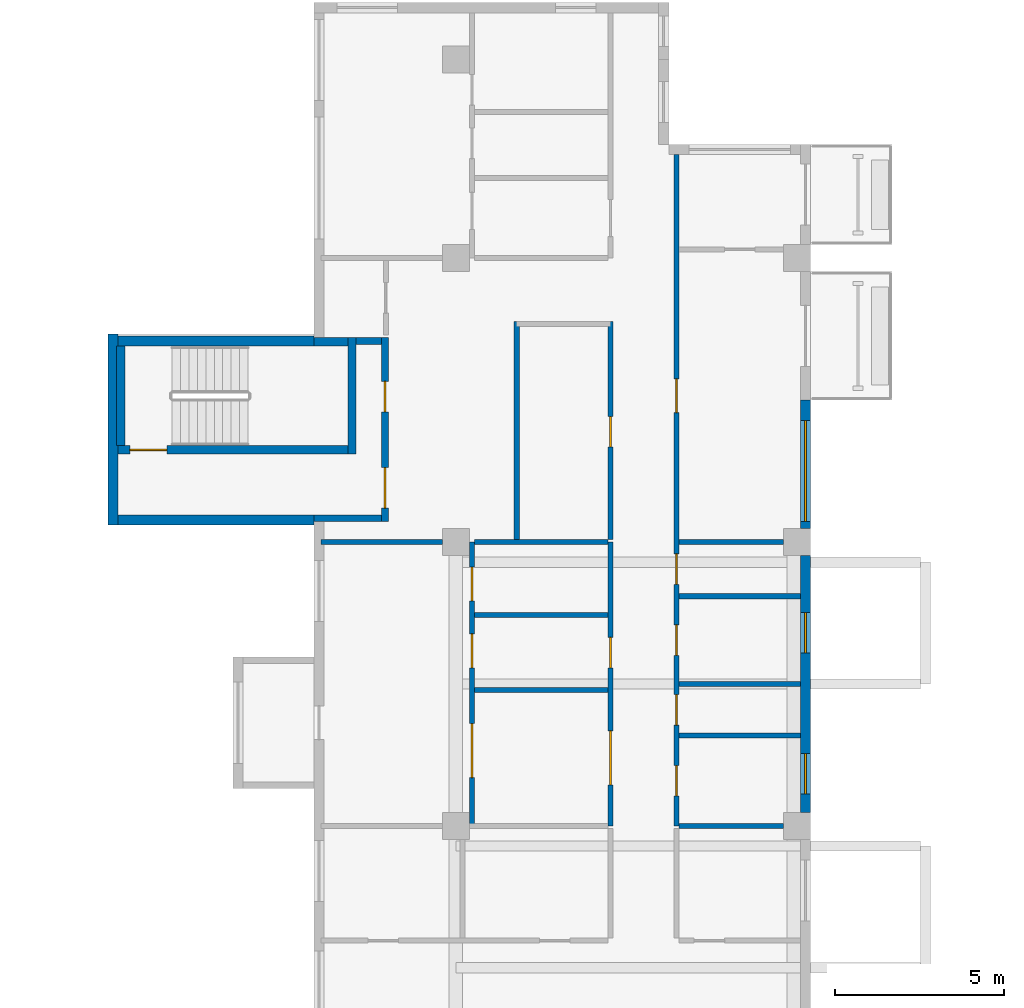
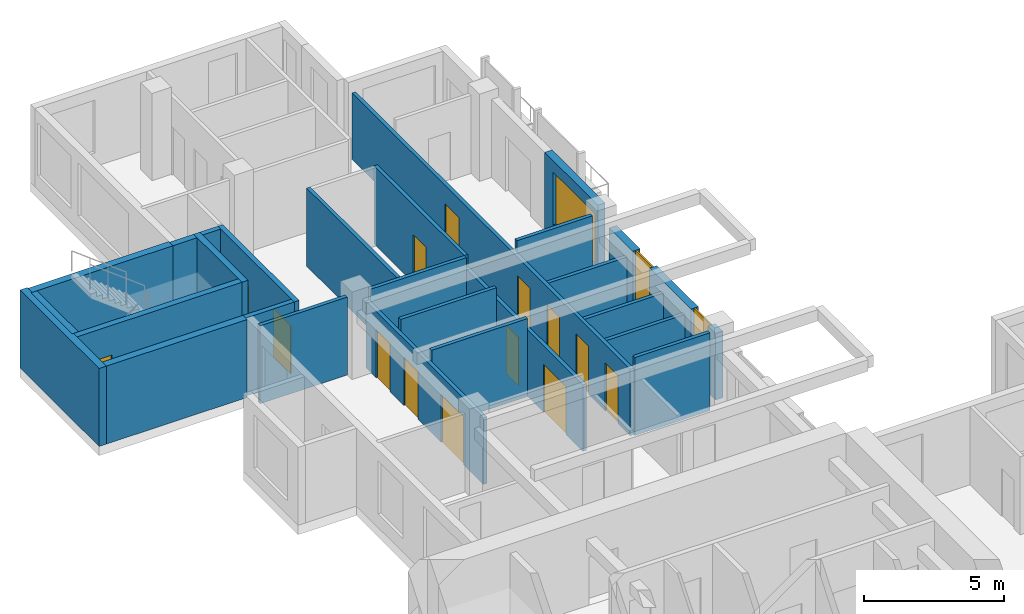
# One storey, part 8 of 13: 26 walls, 14 doors, 3 windows, 17 openings.
"""IFC4 building model written with IfcOpenShell, lengths in metres."""

import ifcopenshell
import ifcopenshell.guid

model = None  # the IFC model being written
_history = None  # IfcOwnerHistory: only IFC2X3 demands one
_inside = {}  # id of a spatial element -> (the spatial element, [elements in it])
_under = {}  # id of a project, library or spatial element -> (it, [spatial elements below it])
_declared = {}  # id of a project -> (the project, [libraries it declares])
_typed = {}  # id of a type object -> (the type object, [elements of that type])
_made_of = {}  # id of a material, layer set ... -> (it, [elements and type objects made of it])


def new_model(schema):
    """Start an empty IFC model of exactly this schema.

    Asked for "IFC4X3", IfcOpenShell would pick the latest addendum, in which some entities
    have other attributes; the version numbers below select the first issue.
    IFC2X3 requires an IfcOwnerHistory on every rooted entity: one is made here for all.
    """
    global model, _history
    if schema == "IFC4X3":
        model = ifcopenshell.file(schema_version=(4, 3, 0, 0))
    else:
        model = ifcopenshell.file(schema=schema)
    _inside.clear()
    _under.clear()
    _declared.clear()
    _typed.clear()
    _made_of.clear()
    _history = None
    if model.schema == "IFC2X3":
        org = make("IfcOrganization", Name="unknown")
        user = make(
            "IfcPersonAndOrganization",
            ThePerson=make("IfcPerson", FamilyName="unknown"),
            TheOrganization=org,
        )
        app = make(
            "IfcApplication",
            ApplicationDeveloper=org,
            Version="unknown",
            ApplicationFullName="unknown",
            ApplicationIdentifier="unknown",
        )
        _history = make(
            "IfcOwnerHistory",
            OwningUser=user,
            OwningApplication=app,
            ChangeAction="ADDED",
            CreationDate=0,
        )
    return model


def make(cls, **values):
    """One entity of the class cls with the attributes given. An attribute that is None is left unset."""
    return model.create_entity(
        cls, **{name: value for name, value in values.items() if value is not None}
    )


def rooted(cls, **values):
    """An entity with a GlobalId (a new one), such as an element, a storey or a relation."""
    return make(cls, GlobalId=ifcopenshell.guid.new(), OwnerHistory=_history, **values)


def si_unit(unit_type, name, prefix=None):
    """IfcSIUnit, for example si_unit("LENGTHUNIT", "METRE", prefix="MILLI")."""
    return make("IfcSIUnit", UnitType=unit_type, Prefix=prefix, Name=name)


def assignment(units):
    """IfcUnitAssignment: the units of a project."""
    return None if units is None else make("IfcUnitAssignment", Units=units)


def point(xyz):
    """IfcCartesianPoint."""
    return None if xyz is None else make("IfcCartesianPoint", Coordinates=xyz)


def direction(xyz):
    """IfcDirection."""
    return None if xyz is None else make("IfcDirection", DirectionRatios=xyz)


def frame(location, z_axis=None, x_axis=None):
    """IfcAxis2Placement3D, a coordinate frame: its origin and axes. An axis left out is left unset."""
    return make(
        "IfcAxis2Placement3D",
        Location=point(location),
        Axis=direction(z_axis),
        RefDirection=direction(x_axis),
    )


def frame_2d(location, x_axis=None):
    """IfcAxis2Placement2D, a coordinate frame in the plane: its origin and x axis."""
    return make(
        "IfcAxis2Placement2D", Location=point(location), RefDirection=direction(x_axis)
    )


def origin():
    """The frame at (0, 0, 0) with its axes left unset."""
    return frame((0.0, 0.0, 0.0))


def place(relative_to, where):
    """IfcLocalPlacement: puts the frame where relative to a parent placement (None: the world)."""
    return make(
        "IfcLocalPlacement", PlacementRelTo=relative_to, RelativePlacement=where
    )


def context(
    kind, dimensions, precision=None, world=None, true_north=None, identifier=None
):
    """IfcGeometricRepresentationContext, for example the 3D "Model" context."""
    return make(
        "IfcGeometricRepresentationContext",
        ContextIdentifier=identifier,
        ContextType=kind,
        CoordinateSpaceDimension=dimensions,
        Precision=precision,
        WorldCoordinateSystem=world,
        TrueNorth=true_north,
    )


def subcontext(parent, identifier, kind, view, scale=None):
    """IfcGeometricRepresentationSubContext, for example "Body" below "Model"."""
    return make(
        "IfcGeometricRepresentationSubContext",
        ContextIdentifier=identifier,
        ContextType=kind,
        ParentContext=parent,
        TargetScale=scale,
        TargetView=view,
    )


def project(units=None, contexts=None):
    """IfcProject with its units and contexts."""
    return rooted(
        "IfcProject",
        Name="project",
        RepresentationContexts=contexts,
        UnitsInContext=assignment(units),
    )


def spatial(cls, under=None, at=None, **own):
    """A site, building, storey or space (cls), placed at a placement, below another one or the project."""
    s = rooted(cls, ObjectPlacement=at, **own)
    if under is not None:
        _under.setdefault(under.id(), (under, []))[1].append(s)
    return s


def profile(cls, at=None, kind="AREA", **sizes):
    """A parametric profile (cls). Its sizes go by their IFC names, for example OverallWidth=200.0."""
    return make(cls, ProfileType=kind, Position=at, **sizes)


def rectangle(**sizes):
    """IfcRectangleProfileDef."""
    return profile("IfcRectangleProfileDef", **sizes)


def extrude(swept, where, along, depth):
    """IfcExtrudedAreaSolid: the profile swept, set in the frame where, extruded along a direction by depth."""
    return make(
        "IfcExtrudedAreaSolid",
        SweptArea=swept,
        Position=where,
        ExtrudedDirection=direction(along),
        Depth=depth,
    )


def shape(context_of_items, identifier, shape_type, items):
    """IfcShapeRepresentation: the items that make up one representation, for example the "Body"."""
    return make(
        "IfcShapeRepresentation",
        ContextOfItems=context_of_items,
        RepresentationIdentifier=identifier,
        RepresentationType=shape_type,
        Items=items,
    )


def source(mapping_origin, context_of_items, identifier, shape_type, items):
    """IfcRepresentationMap: a shape defined once, which mapped items show again and again."""
    return make(
        "IfcRepresentationMap",
        MappingOrigin=mapping_origin,
        MappedRepresentation=shape(context_of_items, identifier, shape_type, items),
    )


def transform(
    local_origin,
    x_axis=None,
    y_axis=None,
    z_axis=None,
    scale=None,
    scale2=None,
    scale3=None,
    uniform=True,
):
    """IfcCartesianTransformationOperator3D, or its non-uniform kind. x_axis, y_axis, z_axis: its Axis1, 2, 3."""
    if uniform:
        return make(
            "IfcCartesianTransformationOperator3D",
            Axis1=direction(x_axis),
            Axis2=direction(y_axis),
            LocalOrigin=point(local_origin),
            Scale=scale,
            Axis3=direction(z_axis),
        )
    return make(
        "IfcCartesianTransformationOperator3DnonUniform",
        Axis1=direction(x_axis),
        Axis2=direction(y_axis),
        LocalOrigin=point(local_origin),
        Scale=scale,
        Axis3=direction(z_axis),
        Scale2=scale2,
        Scale3=scale3,
    )


def mapped(mapping_source, mapping_target):
    """IfcMappedItem: shows the shape of a source again, moved by a transform."""
    return make(
        "IfcMappedItem", MappingSource=mapping_source, MappingTarget=mapping_target
    )


def material(Name=None, Category=None):
    """IfcMaterial."""
    return make("IfcMaterial", Name=Name, Category=Category)


def layer(
    of_material, thickness, ventilated=None, Name=None, Category=None, Priority=None
):
    """IfcMaterialLayer: one layer of a wall or slab, of a material (None: an air gap)."""
    return make(
        "IfcMaterialLayer",
        Material=of_material,
        LayerThickness=thickness,
        IsVentilated=ventilated,
        Name=Name,
        Category=Category,
        Priority=Priority,
    )


def layer_set(layers, Name=None):
    """IfcMaterialLayerSet."""
    return make("IfcMaterialLayerSet", MaterialLayers=layers, LayerSetName=Name)


def made_of(thing, what):
    """Note that an element or type object is made of a material, layer set ...; save() writes the relation."""
    if what is not None:
        _made_of.setdefault(what.id(), (what, []))[1].append(thing)
    return thing


def type_object(cls, material=None, **own):
    """A type object (cls), such as IfcWallType, which elements share."""
    return made_of(rooted(cls, **own), material)


def element(
    cls,
    number,
    at=None,
    inside=None,
    cuts=None,
    type_object=None,
    material=None,
    context=None,
    identifier="Body",
    shape_type=None,
    held_by="IfcProductDefinitionShape",
    body=None,
    shapes=None,
    **own,
):
    """One element of the class cls, such as IfcWall. Its Tag is "e" and its number.

    at: its placement. inside: the storey or other place that contains it. cuts: it is an
    opening in that element (IfcRelVoidsElement). A single representation is given by context,
    identifier, shape_type and body (its items); several are given by shapes. held_by: the class
    of the entity that holds the representations. save() writes the other relations.
    """
    e = rooted(cls, Tag="e%d" % number, ObjectPlacement=at, **own)
    if body is not None:
        shapes = [shape(context, identifier, shape_type, body)]
    if shapes is not None:
        e.Representation = make(held_by, Representations=shapes)
    if inside is not None:
        _inside.setdefault(inside.id(), (inside, []))[1].append(e)
    if cuts is not None:
        rooted(
            "IfcRelVoidsElement", RelatingBuildingElement=cuts, RelatedOpeningElement=e
        )
    if type_object is not None:
        _typed.setdefault(type_object.id(), (type_object, []))[1].append(e)
    return made_of(e, material)


def fill(opening, filler):
    """IfcRelFillsElement: the door or window that sits in an opening."""
    return rooted(
        "IfcRelFillsElement",
        RelatingOpeningElement=opening,
        RelatedBuildingElement=filler,
    )


def aggregate(whole, parts):
    """IfcRelAggregates: a whole, such as a stair, and the parts it consists of."""
    return rooted("IfcRelAggregates", RelatingObject=whole, RelatedObjects=parts)


def save(model, path):
    """Write the relations noted so far, then the file.

    IfcRelAggregates (storeys below a building ...), IfcRelContainedInSpatialStructure (elements
    in a storey), IfcRelDefinesByType, IfcRelAssociatesMaterial and IfcRelDeclares: one each for
    every whole, place, type object, material and project.
    """
    for whole, parts in _under.values():
        aggregate(whole, parts)
    for where, things in _inside.values():
        rooted(
            "IfcRelContainedInSpatialStructure",
            RelatedElements=things,
            RelatingStructure=where,
        )
    for kind, things in _typed.values():
        rooted("IfcRelDefinesByType", RelatedObjects=things, RelatingType=kind)
    for what, things in _made_of.values():
        rooted("IfcRelAssociatesMaterial", RelatedObjects=things, RelatingMaterial=what)
    for by, libraries in _declared.values():
        rooted("IfcRelDeclares", RelatingContext=by, RelatedDefinitions=libraries)
    model.write(path)


model = new_model("IFC4")

# Units and contexts
model_context = context("Model", 3, precision=1e-05, world=origin(), true_north=direction((0.0, 1.0)))
body_context = subcontext(model_context, "Body", "Model", "MODEL_VIEW")
ifc_project = project(units=[si_unit("LENGTHUNIT", "METRE"), si_unit("AREAUNIT", "SQUARE_METRE"), si_unit("VOLUMEUNIT", "CUBIC_METRE"), si_unit("PLANEANGLEUNIT", "RADIAN"), si_unit("MASSUNIT", "GRAM", prefix="KILO")], contexts=[model_context])

# Site, building, storey
site_placement = place(None, origin())
site = spatial("IfcSite", under=ifc_project, at=site_placement, CompositionType="ELEMENT")
building_placement = place(site_placement, origin())
building = spatial("IfcBuilding", under=site, at=building_placement, Name="Aurelian Terraces", CompositionType="ELEMENT")
storey_placement = place(building_placement, frame((0.0, 0.0, 253.8)))
storey = spatial("IfcBuildingStorey", under=building, at=storey_placement, Name="L58", CompositionType="ELEMENT", Elevation=253.8)

# Walls
ifc_material_1 = material(Name="Concrete fc' 40 MPa", Category="concrete")
ifc_layer_1 = layer(ifc_material_1, 0.3)
ifc_layer_set_1 = layer_set([ifc_layer_1], Name="STAIR BAY WALL 300")
wall_type_1 = type_object("IfcWallType", Name="STAIR BAY WALL 300", PredefinedType="SOLIDWALL", material=ifc_layer_set_1)
shared_shape_1 = source(origin(), body_context, "Body", "SweptSolid", [
    extrude(rectangle(XDim=6.1, YDim=0.3, at=frame_2d((3.05, 0.0))), origin(), (0.0, 0.0, 1.0), 3.4),
])
for number, where, z_axis, x_axis, name in (
    (1, (6.3, 43.75, 0.0), (0.0, 0.0, 1.0), (-1.0, 0.0, 0.0), "Stair bay wall L58 F17.31"),
    (2, (0.2, 38.45, 0.0), (0.0, 0.0, 1.0), (1.0, 0.0, 0.0), "Stair bay wall L58 F19.33"),
):
    element("IfcWall", number, at=place(storey_placement, frame(where, z_axis=z_axis, x_axis=x_axis)), inside=storey, type_object=wall_type_1, Name=name, PredefinedType="SOLIDWALL", context=body_context, shape_type="MappedRepresentation", body=[
        mapped(shared_shape_1, transform((0.0, 0.0, 0.0), scale=1.0)),
    ])
shared_shape_2 = source(origin(), body_context, "Body", "SweptSolid", [
    extrude(rectangle(XDim=5.65, YDim=0.3, at=frame_2d((2.825, 0.0))), origin(), (0.0, 0.0, 1.0), 3.4),
])
wall_1_placement = place(storey_placement, frame((0.35, 43.95, 0.0), z_axis=(0.0, 0.0, 1.0), x_axis=(0.0, -1.0, 0.0)))
element("IfcWall", 3, at=wall_1_placement, inside=storey, type_object=wall_type_1, Name="Stair bay wall L58 F18.32", PredefinedType="SOLIDWALL", context=body_context, shape_type="MappedRepresentation", body=[
    mapped(shared_shape_2, transform((0.0, 0.0, 0.0), scale=1.0)),
])

# Wall, openings, windows
ifc_material_2 = material(Name="Terracotta rainscreen cladding", Category="masonry")
ifc_layer_2 = layer(ifc_material_2, 0.3)
ifc_layer_set_2 = layer_set([ifc_layer_2], Name="EW-300")
wall_type_2 = type_object("IfcWallType", Name="EW-300", PredefinedType="STANDARD", material=ifc_layer_set_2)
shared_shape_3 = source(origin(), body_context, "Body", "SweptSolid", [
    extrude(rectangle(XDim=7.6, YDim=0.3, at=frame_2d((3.8, 0.0))), origin(), (0.0, 0.0, 1.0), 2.9),
])
wall_2_placement = place(storey_placement, frame((20.85, 29.8, 0.0), z_axis=(0.0, 0.0, 1.0), x_axis=(0.0, 1.0, 0.0)))
wall_2 = element("IfcWall", 4, at=wall_2_placement, inside=storey, type_object=wall_type_2, Name="External wall L58 F12.22", PredefinedType="STANDARD", context=body_context, shape_type="MappedRepresentation", body=[
    mapped(shared_shape_3, transform((0.0, 0.0, 0.0), scale=1.0)),
])
shared_shape_4 = source(origin(), body_context, "Body", "SweptSolid", [
    extrude(rectangle(XDim=1.2, YDim=2.3, at=frame_2d((0.6, 1.15))), frame((0.0, 0.16, 0.0), z_axis=(0.0, -1.0, 0.0), x_axis=(1.0, 0.0, 0.0)), (0.0, 0.0, 1.0), 0.32),
])
opening_1_placement = place(wall_2_placement, frame((0.546, 0.0, 0.6)))
opening_1 = element("IfcOpeningElement", 5, at=opening_1_placement, cuts=wall_2, Name="Opening W1223", PredefinedType="OPENING", context=body_context, shape_type="MappedRepresentation", body=[
    mapped(shared_shape_4, transform((0.0, 0.0, 0.0), scale=1.0)),
])
opening_2_placement = place(wall_2_placement, frame((4.7095, 0.0, 0.6)))
opening_2 = element("IfcOpeningElement", 6, at=opening_2_placement, cuts=wall_2, Name="Opening W1223", PredefinedType="OPENING", context=body_context, shape_type="MappedRepresentation", body=[
    mapped(shared_shape_4, transform((0.0, 0.0, 0.0), scale=1.0)),
])
ifc_material_3 = material(Name="Clear glazing", Category="glass")
window_type_1 = type_object("IfcWindowType", Name="W-1200x2300", PartitioningType="SINGLE_PANEL", PredefinedType="WINDOW", material=ifc_material_3)
shared_shape_5 = source(origin(), body_context, "Body", "SweptSolid", [
    extrude(rectangle(XDim=1.2, YDim=2.3, at=frame_2d((0.6, 1.15))), frame((0.0, 0.03, 0.0), z_axis=(0.0, -1.0, 0.0), x_axis=(1.0, 0.0, 0.0)), (0.0, 0.0, 1.0), 0.06),
])
window_1_placement = place(opening_1_placement, origin())
window_1 = element("IfcWindow", 7, at=window_1_placement, inside=storey, type_object=window_type_1, Name="Window L58 L58-F12-22-0", OverallHeight=2.3, OverallWidth=1.2, PartitioningType="SINGLE_PANEL", PredefinedType="WINDOW", context=body_context, shape_type="MappedRepresentation", body=[
    mapped(shared_shape_5, transform((0.0, 0.0, 0.0), scale=1.0)),
])
fill(opening_1, window_1)
window_2_placement = place(opening_2_placement, origin())
window_2 = element("IfcWindow", 8, at=window_2_placement, inside=storey, type_object=window_type_1, Name="Window L58 L58-F12-22-1", OverallHeight=2.3, OverallWidth=1.2, PartitioningType="SINGLE_PANEL", PredefinedType="WINDOW", context=body_context, shape_type="MappedRepresentation", body=[
    mapped(shared_shape_5, transform((0.0, 0.0, 0.0), scale=1.0)),
])
fill(opening_2, window_2)

# Wall, opening, window
shared_shape_6 = source(origin(), body_context, "Body", "SweptSolid", [
    extrude(rectangle(XDim=3.8, YDim=0.3, at=frame_2d((1.9, 0.0))), origin(), (0.0, 0.0, 1.0), 3.4),
])
wall_3_placement = place(storey_placement, frame((20.85, 38.2, 0.0), z_axis=(0.0, 0.0, 1.0), x_axis=(0.0, 1.0, 0.0)))
wall_3 = element("IfcWall", 9, at=wall_3_placement, inside=storey, type_object=wall_type_2, Name="External wall L58 F12.23", PredefinedType="STANDARD", context=body_context, shape_type="MappedRepresentation", body=[
    mapped(shared_shape_6, transform((0.0, 0.0, 0.0), scale=1.0)),
])
shared_shape_7 = source(origin(), body_context, "Body", "SweptSolid", [
    extrude(rectangle(XDim=3.0, YDim=2.3, at=frame_2d((1.5, 1.15))), frame((0.0, 0.16, 0.0), z_axis=(0.0, -1.0, 0.0), x_axis=(1.0, 0.0, 0.0)), (0.0, 0.0, 1.0), 0.32),
])
opening_3_placement = place(wall_3_placement, frame((0.2, 0.0, 0.6)))
opening_3 = element("IfcOpeningElement", 10, at=opening_3_placement, cuts=wall_3, Name="Opening W3023", PredefinedType="OPENING", context=body_context, shape_type="MappedRepresentation", body=[
    mapped(shared_shape_7, transform((0.0, 0.0, 0.0), scale=1.0)),
])
window_type_2 = type_object("IfcWindowType", Name="W-3000x2300", PartitioningType="SINGLE_PANEL", PredefinedType="WINDOW", material=ifc_material_3)
shared_shape_8 = source(origin(), body_context, "Body", "SweptSolid", [
    extrude(rectangle(XDim=3.0, YDim=2.3, at=frame_2d((1.5, 1.15))), frame((0.0, 0.03, 0.0), z_axis=(0.0, -1.0, 0.0), x_axis=(1.0, 0.0, 0.0)), (0.0, 0.0, 1.0), 0.06),
])
window_3_placement = place(opening_3_placement, origin())
window_3 = element("IfcWindow", 11, at=window_3_placement, inside=storey, type_object=window_type_2, Name="Window L58 L58-F12-23-0", OverallHeight=2.3, OverallWidth=3.0, PartitioningType="SINGLE_PANEL", PredefinedType="WINDOW", context=body_context, shape_type="MappedRepresentation", body=[
    mapped(shared_shape_8, transform((0.0, 0.0, 0.0), scale=1.0)),
])
fill(opening_3, window_3)

# Wall, opening, door
ifc_layer_3 = layer(ifc_material_1, 0.25)
ifc_layer_set_3 = layer_set([ifc_layer_3], Name="Stair enclosure wall 250")
wall_type_3 = type_object("IfcWallType", Name="Stair enclosure wall 250", PredefinedType="SOLIDWALL", material=ifc_layer_set_3)
shared_shape_9 = source(origin(), body_context, "Body", "SweptSolid", [
    extrude(rectangle(XDim=7.0, YDim=0.25, at=frame_2d((3.5, 0.0))), origin(), (0.0, 0.0, 1.0), 3.4),
])
wall_4_placement = place(storey_placement, frame((0.3, 40.525, 0.0), z_axis=(0.0, 0.0, 1.0), x_axis=(1.0, 0.0, 0.0)))
wall_4 = element("IfcWall", 12, at=wall_4_placement, inside=storey, type_object=wall_type_3, Name="L58 core wall ST-S3-W", PredefinedType="SOLIDWALL", context=body_context, shape_type="MappedRepresentation", body=[
    mapped(shared_shape_9, transform((0.0, 0.0, 0.0), scale=1.0)),
])
shared_shape_10 = source(origin(), body_context, "Body", "SweptSolid", [
    extrude(rectangle(XDim=1.1, YDim=2.1, at=frame_2d((0.55, 1.05))), frame((0.0, 0.135, 0.0), z_axis=(0.0, -1.0, 0.0), x_axis=(1.0, 0.0, 0.0)), (0.0, 0.0, 1.0), 0.27),
])
opening_4_placement = place(wall_4_placement, frame((0.55, 0.0, 0.0)))
opening_4 = element("IfcOpeningElement", 13, at=opening_4_placement, cuts=wall_4, Name="Opening 66118", PredefinedType="OPENING", context=body_context, shape_type="MappedRepresentation", body=[
    mapped(shared_shape_10, transform((0.0, 0.0, 0.0), scale=1.0)),
])
ifc_material_4 = material(Name="Steel door leaf", Category="steel")
door_type_1 = type_object("IfcDoorType", Name="Core fire door 1100x2100 right", OperationType="SINGLE_SWING_RIGHT", PredefinedType="DOOR", material=ifc_material_4)
shared_shape_11 = source(origin(), body_context, "Body", "SweptSolid", [
    extrude(rectangle(XDim=1.1, YDim=2.1, at=frame_2d((0.55, 1.05))), frame((0.0, 0.025, 0.0), z_axis=(0.0, -1.0, 0.0), x_axis=(1.0, 0.0, 0.0)), (0.0, 0.0, 1.0), 0.05),
])
door_1_placement = place(opening_4_placement, origin())
door_1 = element("IfcDoor", 14, at=door_1_placement, inside=storey, type_object=door_type_1, Name="Stair door 66118", OperationType="SINGLE_SWING_RIGHT", OverallHeight=2.1, OverallWidth=1.1, PredefinedType="DOOR", context=body_context, shape_type="MappedRepresentation", body=[
    mapped(shared_shape_11, transform((0.0, 0.0, 0.0), scale=1.0)),
])
fill(opening_4, door_1)

# Walls
shared_shape_12 = source(origin(), body_context, "Body", "SweptSolid", [
    extrude(rectangle(XDim=3.45, YDim=0.25, at=frame_2d((1.725, 0.0))), origin(), (0.0, 0.0, 1.0), 3.4),
])
wall_5_placement = place(storey_placement, frame((7.425, 40.4, 0.0), z_axis=(0.0, 0.0, 1.0), x_axis=(0.0, 1.0, 0.0)))
element("IfcWall", 15, at=wall_5_placement, inside=storey, type_object=wall_type_3, Name="L58 core wall ST-S3-N", PredefinedType="SOLIDWALL", context=body_context, shape_type="MappedRepresentation", body=[
    mapped(shared_shape_12, transform((0.0, 0.0, 0.0), scale=1.0)),
])
shared_shape_13 = source(origin(), body_context, "Body", "SweptSolid", [
    extrude(rectangle(XDim=2.95, YDim=0.25, at=frame_2d((1.475, 0.0))), origin(), (0.0, 0.0, 1.0), 3.4),
])
wall_6_placement = place(storey_placement, frame((0.575, 40.65, 0.0), z_axis=(0.0, 0.0, 1.0), x_axis=(0.0, 1.0, 0.0)))
element("IfcWall", 16, at=wall_6_placement, inside=storey, type_object=wall_type_3, Name="L58 core wall ST-S3-SS", PredefinedType="SOLIDWALL", context=body_context, shape_type="MappedRepresentation", body=[
    mapped(shared_shape_13, transform((0.0, 0.0, 0.0), scale=1.0)),
])

# Wall, openings, doors
ifc_material_5 = material(Name="Gypsum board on steel studs", Category="steel")
ifc_layer_4 = layer(ifc_material_5, 0.2)
ifc_layer_set_4 = layer_set([ifc_layer_4], Name="Core partition 200")
wall_type_4 = type_object("IfcWallType", Name="Core partition 200", PredefinedType="PARTITIONING", material=ifc_layer_set_4)
shared_shape_14 = source(origin(), body_context, "Body", "SweptSolid", [
    extrude(rectangle(XDim=5.45, YDim=0.2, at=frame_2d((2.725, 0.0))), origin(), (0.0, 0.0, 1.0), 3.4),
])
wall_7_placement = place(storey_placement, frame((8.4, 38.4, 0.0), z_axis=(0.0, 0.0, 1.0), x_axis=(0.0, 1.0, 0.0)))
wall_7 = element("IfcWall", 17, at=wall_7_placement, inside=storey, type_object=wall_type_4, Name="L58 core wall ST-S3-BN", PredefinedType="PARTITIONING", context=body_context, shape_type="MappedRepresentation", body=[
    mapped(shared_shape_14, transform((0.0, 0.0, 0.0), scale=1.0)),
])
shared_shape_15 = source(origin(), body_context, "Body", "SweptSolid", [
    extrude(rectangle(XDim=1.2, YDim=2.1, at=frame_2d((0.6, 1.05))), frame((0.0, 0.11, 0.0), z_axis=(0.0, -1.0, 0.0), x_axis=(1.0, 0.0, 0.0)), (0.0, 0.0, 1.0), 0.22),
])
opening_5_placement = place(wall_7_placement, frame((0.4, 0.0, 0.0)))
opening_5 = element("IfcOpeningElement", 18, at=opening_5_placement, cuts=wall_7, Name="Opening 66119", PredefinedType="OPENING", context=body_context, shape_type="MappedRepresentation", body=[
    mapped(shared_shape_15, transform((0.0, 0.0, 0.0), scale=1.0)),
])
shared_shape_16 = source(origin(), body_context, "Body", "SweptSolid", [
    extrude(rectangle(XDim=0.9, YDim=2.1, at=frame_2d((0.45, 1.05))), frame((0.0, 0.11, 0.0), z_axis=(0.0, -1.0, 0.0), x_axis=(1.0, 0.0, 0.0)), (0.0, 0.0, 1.0), 0.22),
])
opening_6_placement = place(wall_7_placement, frame((3.25, 0.0, 0.0)))
opening_6 = element("IfcOpeningElement", 19, at=opening_6_placement, cuts=wall_7, Name="Opening 66120", PredefinedType="OPENING", context=body_context, shape_type="MappedRepresentation", body=[
    mapped(shared_shape_16, transform((0.0, 0.0, 0.0), scale=1.0)),
])
door_type_2 = type_object("IfcDoorType", Name="Core riser door 900x2100 right", OperationType="SINGLE_SWING_RIGHT", PredefinedType="DOOR", material=ifc_material_4)
shared_shape_17 = source(origin(), body_context, "Body", "SweptSolid", [
    extrude(rectangle(XDim=0.9, YDim=2.1, at=frame_2d((0.45, 1.05))), frame((0.0, 0.025, 0.0), z_axis=(0.0, -1.0, 0.0), x_axis=(1.0, 0.0, 0.0)), (0.0, 0.0, 1.0), 0.05),
])
door_2_placement = place(opening_6_placement, origin())
door_2 = element("IfcDoor", 20, at=door_2_placement, inside=storey, type_object=door_type_2, Name="Riser door 66120", OperationType="SINGLE_SWING_RIGHT", OverallHeight=2.1, OverallWidth=0.9, PredefinedType="DOOR", context=body_context, shape_type="MappedRepresentation", body=[
    mapped(shared_shape_17, transform((0.0, 0.0, 0.0), scale=1.0)),
])
fill(opening_6, door_2)
door_type_3 = type_object("IfcDoorType", Name="Core fire door 1200x2100", OperationType="SINGLE_SWING_LEFT", PredefinedType="DOOR", material=ifc_material_4)
shared_shape_18 = source(origin(), body_context, "Body", "SweptSolid", [
    extrude(rectangle(XDim=1.2, YDim=2.1, at=frame_2d((0.6, 1.05))), frame((0.0, 0.025, 0.0), z_axis=(0.0, -1.0, 0.0), x_axis=(1.0, 0.0, 0.0)), (0.0, 0.0, 1.0), 0.05),
])
door_3_placement = place(opening_5_placement, origin())
door_3 = element("IfcDoor", 21, at=door_3_placement, inside=storey, type_object=door_type_3, Name="Vestibule door 66119", OperationType="SINGLE_SWING_LEFT", OverallHeight=2.1, OverallWidth=1.2, PredefinedType="DOOR", context=body_context, shape_type="MappedRepresentation", body=[
    mapped(shared_shape_18, transform((0.0, 0.0, 0.0), scale=1.0)),
])
fill(opening_5, door_3)

# Walls
shared_shape_19 = source(origin(), body_context, "Body", "SweptSolid", [
    extrude(rectangle(XDim=0.75, YDim=0.2, at=frame_2d((0.375, 0.0))), origin(), (0.0, 0.0, 1.0), 3.4),
])
wall_8_placement = place(storey_placement, frame((7.55, 43.75, 0.0), z_axis=(0.0, 0.0, 1.0), x_axis=(1.0, 0.0, 0.0)))
element("IfcWall", 22, at=wall_8_placement, inside=storey, type_object=wall_type_4, Name="L58 core wall ST-S3-RE", PredefinedType="PARTITIONING", context=body_context, shape_type="MappedRepresentation", body=[
    mapped(shared_shape_19, transform((0.0, 0.0, 0.0), scale=1.0)),
])
shared_shape_20 = source(origin(), body_context, "Body", "SweptSolid", [
    extrude(rectangle(XDim=1.0, YDim=0.25, at=frame_2d((0.5, 0.0))), origin(), (0.0, 0.0, 1.0), 3.4),
])
wall_9_placement = place(storey_placement, frame((6.3, 43.725, 0.0), z_axis=(0.0, 0.0, 1.0), x_axis=(1.0, 0.0, 0.0)))
element("IfcWall", 23, at=wall_9_placement, inside=storey, type_object=wall_type_3, Name="L58 core wall ST-S3-E", PredefinedType="SOLIDWALL", context=body_context, shape_type="MappedRepresentation", body=[
    mapped(shared_shape_20, transform((0.0, 0.0, 0.0), scale=1.0)),
])
shared_shape_21 = source(origin(), body_context, "Body", "SweptSolid", [
    extrude(rectangle(XDim=2.0, YDim=0.2, at=frame_2d((1.0, 0.0))), origin(), (0.0, 0.0, 1.0), 3.4),
])
wall_10_placement = place(storey_placement, frame((6.3, 38.5, 0.0), z_axis=(0.0, 0.0, 1.0), x_axis=(1.0, 0.0, 0.0)))
element("IfcWall", 24, at=wall_10_placement, inside=storey, type_object=wall_type_4, Name="L58 core wall ST-S3-VW", PredefinedType="PARTITIONING", context=body_context, shape_type="MappedRepresentation", body=[
    mapped(shared_shape_21, transform((0.0, 0.0, 0.0), scale=1.0)),
])
ifc_layer_5 = layer(ifc_material_5, 0.15)
ifc_layer_set_5 = layer_set([ifc_layer_5], Name="Partition 150")
wall_type_5 = type_object("IfcWallType", Name="Partition 150", PredefinedType="PARTITIONING", material=ifc_layer_set_5)
shared_shape_22 = source(origin(), body_context, "Body", "SweptSolid", [
    extrude(rectangle(XDim=6.45, YDim=0.15, at=frame_2d((3.225, 0.0))), origin(), (0.0, 0.0, 1.0), 3.4),
])
wall_11_placement = place(storey_placement, frame((12.3, 44.325, 0.0), z_axis=(0.0, 0.0, 1.0), x_axis=(0.0, -1.0, 0.0)))
element("IfcWall", 25, at=wall_11_placement, inside=storey, type_object=wall_type_5, Name="Partition", PredefinedType="PARTITIONING", context=body_context, shape_type="MappedRepresentation", body=[
    mapped(shared_shape_22, transform((0.0, 0.0, 0.0), scale=1.0)),
])

# Wall, opening, door
ifc_layer_6 = layer(ifc_material_5, 0.15)
ifc_layer_set_6 = layer_set([ifc_layer_6], Name="Fire partition 150")
wall_type_6 = type_object("IfcWallType", Name="Fire partition 150", PredefinedType="PARTITIONING", material=ifc_layer_set_6)
wall_12_placement = place(storey_placement, frame((15.075, 37.875, 0.0), z_axis=(0.0, 0.0, 1.0), x_axis=(0.0, 1.0, 0.0)))
wall_12 = element("IfcWall", 26, at=wall_12_placement, inside=storey, type_object=wall_type_6, Name="Corridor wall", PredefinedType="PARTITIONING", context=body_context, shape_type="MappedRepresentation", body=[
    mapped(shared_shape_22, transform((0.0, 0.0, 0.0), scale=1.0)),
])
shared_shape_23 = source(origin(), body_context, "Body", "SweptSolid", [
    extrude(rectangle(XDim=0.9, YDim=2.1, at=frame_2d((0.45, 1.05))), frame((0.0, 0.085, 0.0), z_axis=(0.0, -1.0, 0.0), x_axis=(1.0, 0.0, 0.0)), (0.0, 0.0, 1.0), 0.17),
])
opening_7_placement = place(wall_12_placement, frame((2.7375, 0.0, 0.0)))
opening_7 = element("IfcOpeningElement", 27, at=opening_7_placement, cuts=wall_12, Name="Opening 758018", PredefinedType="OPENING", context=body_context, shape_type="MappedRepresentation", body=[
    mapped(shared_shape_23, transform((0.0, 0.0, 0.0), scale=1.0)),
])
ifc_material_6 = material(Name="Timber door leaf", Category="wood")
door_type_4 = type_object("IfcDoorType", Name="Room door 900x2100 right", OperationType="SINGLE_SWING_RIGHT", PredefinedType="DOOR", material=ifc_material_6)
door_4_placement = place(opening_7_placement, origin())
door_4 = element("IfcDoor", 28, at=door_4_placement, inside=storey, type_object=door_type_4, Name="Door 758018", OperationType="SINGLE_SWING_RIGHT", OverallHeight=2.1, OverallWidth=0.9, PredefinedType="DOOR", context=body_context, shape_type="MappedRepresentation", body=[
    mapped(shared_shape_17, transform((0.0, 0.0, 0.0), scale=1.0)),
])
fill(opening_7, door_4)

# Walls
shared_shape_24 = source(origin(), body_context, "Body", "SweptSolid", [
    extrude(rectangle(XDim=3.6, YDim=0.15, at=frame_2d((1.8, 0.0))), origin(), (0.0, 0.0, 1.0), 2.4),
])
for number, where, z_axis, x_axis, name in (
    (29, (17.1, 32.067, 0.0), (0.0, 0.0, 1.0), (1.0, 0.0, 0.0), "Partition"),
    (30, (17.1, 36.194, 0.0), (0.0, 0.0, 1.0), (1.0, 0.0, 0.0), "Partition"),
):
    element("IfcWall", number, at=place(storey_placement, frame(where, z_axis=z_axis, x_axis=x_axis)), inside=storey, type_object=wall_type_5, Name=name, PredefinedType="PARTITIONING", context=body_context, shape_type="MappedRepresentation", body=[
        mapped(shared_shape_24, transform((0.0, 0.0, 0.0), scale=1.0)),
    ])
wall_13_placement = place(storey_placement, frame((20.7, 33.6, 0.0), z_axis=(0.0, 0.0, 1.0), x_axis=(-1.0, 0.0, 0.0)))
element("IfcWall", 31, at=wall_13_placement, inside=storey, type_object=wall_type_6, Name="Party wall", PredefinedType="PARTITIONING", context=body_context, shape_type="MappedRepresentation", body=[
    mapped(shared_shape_24, transform((0.0, 0.0, 0.0), scale=1.0)),
])

# Wall, openings, doors
shared_shape_25 = source(origin(), body_context, "Body", "SweptSolid", [
    extrude(rectangle(XDim=8.4, YDim=0.15, at=frame_2d((4.2, 0.0))), origin(), (0.0, 0.0, 1.0), 2.9),
])
wall_14_placement = place(storey_placement, frame((10.975, 29.4, 0.0), z_axis=(0.0, 0.0, 1.0), x_axis=(0.0, 1.0, 0.0)))
wall_14 = element("IfcWall", 32, at=wall_14_placement, inside=storey, type_object=wall_type_5, Name="Partition", PredefinedType="PARTITIONING", context=body_context, shape_type="MappedRepresentation", body=[
    mapped(shared_shape_25, transform((0.0, 0.0, 0.0), scale=1.0)),
])
shared_shape_26 = source(origin(), body_context, "Body", "SweptSolid", [
    extrude(rectangle(XDim=1.6, YDim=2.1, at=frame_2d((0.8, 1.05))), frame((0.0, 0.085, 0.0), z_axis=(0.0, -1.0, 0.0), x_axis=(1.0, 0.0, 0.0)), (0.0, 0.0, 1.0), 0.17),
])
opening_8_placement = place(wall_14_placement, frame((1.4237, 0.0, 0.0)))
opening_8 = element("IfcOpeningElement", 33, at=opening_8_placement, cuts=wall_14, Name="Opening 758021", PredefinedType="OPENING", context=body_context, shape_type="MappedRepresentation", body=[
    mapped(shared_shape_26, transform((0.0, 0.0, 0.0), scale=1.0)),
])
shared_shape_27 = source(origin(), body_context, "Body", "SweptSolid", [
    extrude(rectangle(XDim=1.0, YDim=2.1, at=frame_2d((0.5, 1.05))), frame((0.0, 0.085, 0.0), z_axis=(0.0, -1.0, 0.0), x_axis=(1.0, 0.0, 0.0)), (0.0, 0.0, 1.0), 0.17),
])
opening_9_placement = place(wall_14_placement, frame((4.6776, 0.0, 0.0)))
opening_9 = element("IfcOpeningElement", 34, at=opening_9_placement, cuts=wall_14, Name="Opening 758022", PredefinedType="OPENING", context=body_context, shape_type="MappedRepresentation", body=[
    mapped(shared_shape_27, transform((0.0, 0.0, 0.0), scale=1.0)),
])
opening_10_placement = place(wall_14_placement, frame((6.6539, 0.0, 0.0)))
opening_10 = element("IfcOpeningElement", 35, at=opening_10_placement, cuts=wall_14, Name="Opening 758023", PredefinedType="OPENING", context=body_context, shape_type="MappedRepresentation", body=[
    mapped(shared_shape_27, transform((0.0, 0.0, 0.0), scale=1.0)),
])
door_type_5 = type_object("IfcDoorType", Name="Room door 1000x2100 left", OperationType="SINGLE_SWING_LEFT", PredefinedType="DOOR", material=ifc_material_6)
shared_shape_28 = source(origin(), body_context, "Body", "SweptSolid", [
    extrude(rectangle(XDim=1.0, YDim=2.1, at=frame_2d((0.5, 1.05))), frame((0.0, 0.025, 0.0), z_axis=(0.0, -1.0, 0.0), x_axis=(1.0, 0.0, 0.0)), (0.0, 0.0, 1.0), 0.05),
])
door_5_placement = place(opening_9_placement, origin())
door_5 = element("IfcDoor", 36, at=door_5_placement, inside=storey, type_object=door_type_5, Name="Door 758022", OperationType="SINGLE_SWING_LEFT", OverallHeight=2.1, OverallWidth=1.0, PredefinedType="DOOR", context=body_context, shape_type="MappedRepresentation", body=[
    mapped(shared_shape_28, transform((0.0, 0.0, 0.0), scale=1.0)),
])
fill(opening_9, door_5)
door_type_6 = type_object("IfcDoorType", Name="Room door 1000x2100 right", OperationType="SINGLE_SWING_RIGHT", PredefinedType="DOOR", material=ifc_material_6)
door_6_placement = place(opening_10_placement, origin())
door_6 = element("IfcDoor", 37, at=door_6_placement, inside=storey, type_object=door_type_6, Name="Door 758023", OperationType="SINGLE_SWING_RIGHT", OverallHeight=2.1, OverallWidth=1.0, PredefinedType="DOOR", context=body_context, shape_type="MappedRepresentation", body=[
    mapped(shared_shape_28, transform((0.0, 0.0, 0.0), scale=1.0)),
])
fill(opening_10, door_6)
door_type_7 = type_object("IfcDoorType", Name="Room door 1600x2100 right", OperationType="SINGLE_SWING_RIGHT", PredefinedType="DOOR", material=ifc_material_6)
shared_shape_29 = source(origin(), body_context, "Body", "SweptSolid", [
    extrude(rectangle(XDim=1.6, YDim=2.1, at=frame_2d((0.8, 1.05))), frame((0.0, 0.025, 0.0), z_axis=(0.0, -1.0, 0.0), x_axis=(1.0, 0.0, 0.0)), (0.0, 0.0, 1.0), 0.05),
])
door_7_placement = place(opening_8_placement, origin())
door_7 = element("IfcDoor", 38, at=door_7_placement, inside=storey, type_object=door_type_7, Name="Door 758021", OperationType="SINGLE_SWING_RIGHT", OverallHeight=2.1, OverallWidth=1.6, PredefinedType="DOOR", context=body_context, shape_type="MappedRepresentation", body=[
    mapped(shared_shape_29, transform((0.0, 0.0, 0.0), scale=1.0)),
])
fill(opening_8, door_7)

wall_15_placement = place(storey_placement, frame((15.075, 29.4, 0.0), z_axis=(0.0, 0.0, 1.0), x_axis=(0.0, 1.0, 0.0)))
wall_15 = element("IfcWall", 39, at=wall_15_placement, inside=storey, type_object=wall_type_6, Name="Corridor wall", PredefinedType="PARTITIONING", context=body_context, shape_type="MappedRepresentation", body=[
    mapped(shared_shape_25, transform((0.0, 0.0, 0.0), scale=1.0)),
])
opening_11_placement = place(wall_15_placement, frame((1.2112, 0.0, 0.0)))
opening_11 = element("IfcOpeningElement", 40, at=opening_11_placement, cuts=wall_15, Name="Opening 758020", PredefinedType="OPENING", context=body_context, shape_type="MappedRepresentation", body=[
    mapped(shared_shape_26, transform((0.0, 0.0, 0.0), scale=1.0)),
])
opening_12_placement = place(wall_15_placement, frame((4.6776, 0.0, 0.0)))
opening_12 = element("IfcOpeningElement", 41, at=opening_12_placement, cuts=wall_15, Name="Opening 758024", PredefinedType="OPENING", context=body_context, shape_type="MappedRepresentation", body=[
    mapped(shared_shape_23, transform((0.0, 0.0, 0.0), scale=1.0)),
])
door_type_8 = type_object("IfcDoorType", Name="Entrance fire door 900x2100 left", OperationType="SINGLE_SWING_LEFT", PredefinedType="DOOR", material=ifc_material_4)
door_8_placement = place(opening_12_placement, origin())
door_8 = element("IfcDoor", 42, at=door_8_placement, inside=storey, type_object=door_type_8, Name="Door 758024", OperationType="SINGLE_SWING_LEFT", OverallHeight=2.1, OverallWidth=0.9, PredefinedType="DOOR", context=body_context, shape_type="MappedRepresentation", body=[
    mapped(shared_shape_17, transform((0.0, 0.0, 0.0), scale=1.0)),
])
fill(opening_12, door_8)
door_type_9 = type_object("IfcDoorType", Name="Entrance fire door 1600x2100 left", OperationType="SINGLE_SWING_LEFT", PredefinedType="DOOR", material=ifc_material_4)
door_9_placement = place(opening_11_placement, origin())
door_9 = element("IfcDoor", 43, at=door_9_placement, inside=storey, type_object=door_type_9, Name="Door 758020", OperationType="SINGLE_SWING_LEFT", OverallHeight=2.1, OverallWidth=1.6, PredefinedType="DOOR", context=body_context, shape_type="MappedRepresentation", body=[
    mapped(shared_shape_29, transform((0.0, 0.0, 0.0), scale=1.0)),
])
fill(opening_11, door_9)

shared_shape_30 = source(origin(), body_context, "Body", "SweptSolid", [
    extrude(rectangle(XDim=19.86, YDim=0.15, at=frame_2d((9.93, 0.0))), origin(), (0.0, 0.0, 1.0), 2.9),
])
wall_16_placement = place(storey_placement, frame((17.025, 49.26, 0.0), z_axis=(0.0, 0.0, 1.0), x_axis=(0.0, -1.0, 0.0)))
wall_16 = element("IfcWall", 44, at=wall_16_placement, inside=storey, type_object=wall_type_6, Name="Corridor wall", PredefinedType="PARTITIONING", context=body_context, shape_type="MappedRepresentation", body=[
    mapped(shared_shape_30, transform((0.0, 0.0, 0.0), scale=1.0)),
])
opening_13_placement = place(wall_16_placement, frame((18.0765, 0.0, 0.0)))
opening_13 = element("IfcOpeningElement", 45, at=opening_13_placement, cuts=wall_16, Name="Opening 758029", PredefinedType="OPENING", context=body_context, shape_type="MappedRepresentation", body=[
    mapped(shared_shape_23, transform((0.0, 0.0, 0.0), scale=1.0)),
])
opening_14_placement = place(wall_16_placement, frame((15.9765, 0.0, 0.0)))
opening_14 = element("IfcOpeningElement", 46, at=opening_14_placement, cuts=wall_16, Name="Opening 758030", PredefinedType="OPENING", context=body_context, shape_type="MappedRepresentation", body=[
    mapped(shared_shape_23, transform((0.0, 0.0, 0.0), scale=1.0)),
])
opening_15_placement = place(wall_16_placement, frame((13.913, 0.0, 0.0)))
opening_15 = element("IfcOpeningElement", 47, at=opening_15_placement, cuts=wall_16, Name="Opening 758031", PredefinedType="OPENING", context=body_context, shape_type="MappedRepresentation", body=[
    mapped(shared_shape_23, transform((0.0, 0.0, 0.0), scale=1.0)),
])
opening_16_placement = place(wall_16_placement, frame((11.813, 0.0, 0.0)))
opening_16 = element("IfcOpeningElement", 48, at=opening_16_placement, cuts=wall_16, Name="Opening 758032", PredefinedType="OPENING", context=body_context, shape_type="MappedRepresentation", body=[
    mapped(shared_shape_23, transform((0.0, 0.0, 0.0), scale=1.0)),
])
opening_17_placement = place(wall_16_placement, frame((6.63, 0.0, 0.0)))
opening_17 = element("IfcOpeningElement", 49, at=opening_17_placement, cuts=wall_16, Name="Opening 758033", PredefinedType="OPENING", context=body_context, shape_type="MappedRepresentation", body=[
    mapped(shared_shape_27, transform((0.0, 0.0, 0.0), scale=1.0)),
])
door_type_10 = type_object("IfcDoorType", Name="Entrance fire door 1000x2100 left", OperationType="SINGLE_SWING_LEFT", PredefinedType="DOOR", material=ifc_material_4)
door_10_placement = place(opening_17_placement, origin())
door_10 = element("IfcDoor", 50, at=door_10_placement, inside=storey, type_object=door_type_10, Name="Door 758033", OperationType="SINGLE_SWING_LEFT", OverallHeight=2.1, OverallWidth=1.0, PredefinedType="DOOR", context=body_context, shape_type="MappedRepresentation", body=[
    mapped(shared_shape_28, transform((0.0, 0.0, 0.0), scale=1.0)),
])
fill(opening_17, door_10)
door_11_placement = place(opening_13_placement, origin())
door_11 = element("IfcDoor", 51, at=door_11_placement, inside=storey, type_object=door_type_8, Name="Door 758029", OperationType="SINGLE_SWING_LEFT", OverallHeight=2.1, OverallWidth=0.9, PredefinedType="DOOR", context=body_context, shape_type="MappedRepresentation", body=[
    mapped(shared_shape_17, transform((0.0, 0.0, 0.0), scale=1.0)),
])
fill(opening_13, door_11)
door_type_11 = type_object("IfcDoorType", Name="Entrance fire door 900x2100 right", OperationType="SINGLE_SWING_RIGHT", PredefinedType="DOOR", material=ifc_material_4)
door_12_placement = place(opening_14_placement, origin())
door_12 = element("IfcDoor", 52, at=door_12_placement, inside=storey, type_object=door_type_11, Name="Door 758030", OperationType="SINGLE_SWING_RIGHT", OverallHeight=2.1, OverallWidth=0.9, PredefinedType="DOOR", context=body_context, shape_type="MappedRepresentation", body=[
    mapped(shared_shape_17, transform((0.0, 0.0, 0.0), scale=1.0)),
])
fill(opening_14, door_12)
door_13_placement = place(opening_15_placement, origin())
door_13 = element("IfcDoor", 53, at=door_13_placement, inside=storey, type_object=door_type_8, Name="Door 758031", OperationType="SINGLE_SWING_LEFT", OverallHeight=2.1, OverallWidth=0.9, PredefinedType="DOOR", context=body_context, shape_type="MappedRepresentation", body=[
    mapped(shared_shape_17, transform((0.0, 0.0, 0.0), scale=1.0)),
])
fill(opening_15, door_13)
door_14_placement = place(opening_16_placement, origin())
door_14 = element("IfcDoor", 54, at=door_14_placement, inside=storey, type_object=door_type_11, Name="Door 758032", OperationType="SINGLE_SWING_RIGHT", OverallHeight=2.1, OverallWidth=0.9, PredefinedType="DOOR", context=body_context, shape_type="MappedRepresentation", body=[
    mapped(shared_shape_17, transform((0.0, 0.0, 0.0), scale=1.0)),
])
fill(opening_16, door_14)

# Walls
shared_shape_31 = source(origin(), body_context, "Body", "SweptSolid", [
    extrude(rectangle(XDim=3.95, YDim=0.15, at=frame_2d((1.975, 0.0))), origin(), (0.0, 0.0, 1.0), 3.4),
])
for number, where, z_axis, x_axis, name in (
    (55, (15.0, 33.4224, 0.0), (0.0, 0.0, 1.0), (-1.0, 0.0, 0.0), "Partition"),
    (56, (15.0, 35.6329, 0.0), (0.0, 0.0, 1.0), (-1.0, 0.0, 0.0), "Partition"),
):
    element("IfcWall", number, at=place(storey_placement, frame(where, z_axis=z_axis, x_axis=x_axis)), inside=storey, type_object=wall_type_5, Name=name, PredefinedType="PARTITIONING", context=body_context, shape_type="MappedRepresentation", body=[
        mapped(shared_shape_31, transform((0.0, 0.0, 0.0), scale=1.0)),
    ])
wall_17_placement = place(storey_placement, frame((15.0, 37.8, 0.0), z_axis=(0.0, 0.0, 1.0), x_axis=(-1.0, 0.0, 0.0)))
element("IfcWall", 57, at=wall_17_placement, inside=storey, type_object=wall_type_6, Name="Party wall", PredefinedType="PARTITIONING", context=body_context, shape_type="MappedRepresentation", body=[
    mapped(shared_shape_31, transform((0.0, 0.0, 0.0), scale=1.0)),
])
shared_shape_32 = source(origin(), body_context, "Body", "SweptSolid", [
    extrude(rectangle(XDim=3.101, YDim=0.15, at=frame_2d((1.5505, 0.0))), origin(), (0.0, 0.0, 1.0), 3.4),
])
wall_18_placement = place(storey_placement, frame((20.201, 29.4, 0.0), z_axis=(0.0, 0.0, 1.0), x_axis=(-1.0, 0.0, 0.0)))
element("IfcWall", 58, at=wall_18_placement, inside=storey, type_object=wall_type_5, Name="Partition", PredefinedType="PARTITIONING", context=body_context, shape_type="MappedRepresentation", body=[
    mapped(shared_shape_32, transform((0.0, 0.0, 0.0), scale=1.0)),
])
wall_19_placement = place(storey_placement, frame((20.201, 37.8, 0.0), z_axis=(0.0, 0.0, 1.0), x_axis=(-1.0, 0.0, 0.0)))
element("IfcWall", 59, at=wall_19_placement, inside=storey, type_object=wall_type_6, Name="Party wall", PredefinedType="PARTITIONING", context=body_context, shape_type="MappedRepresentation", body=[
    mapped(shared_shape_32, transform((0.0, 0.0, 0.0), scale=1.0)),
])
shared_shape_33 = source(origin(), body_context, "Body", "SweptSolid", [
    extrude(rectangle(XDim=3.596, YDim=0.15, at=frame_2d((1.798, 0.0))), origin(), (0.0, 0.0, 1.0), 3.4),
])
wall_20_placement = place(storey_placement, frame((10.101, 37.8, 0.0), z_axis=(0.0, 0.0, 1.0), x_axis=(-1.0, 0.0, 0.0)))
element("IfcWall", 60, at=wall_20_placement, inside=storey, type_object=wall_type_6, Name="Party wall", PredefinedType="PARTITIONING", context=body_context, shape_type="MappedRepresentation", body=[
    mapped(shared_shape_33, transform((0.0, 0.0, 0.0), scale=1.0)),
])

save(model, "model.ifc")
